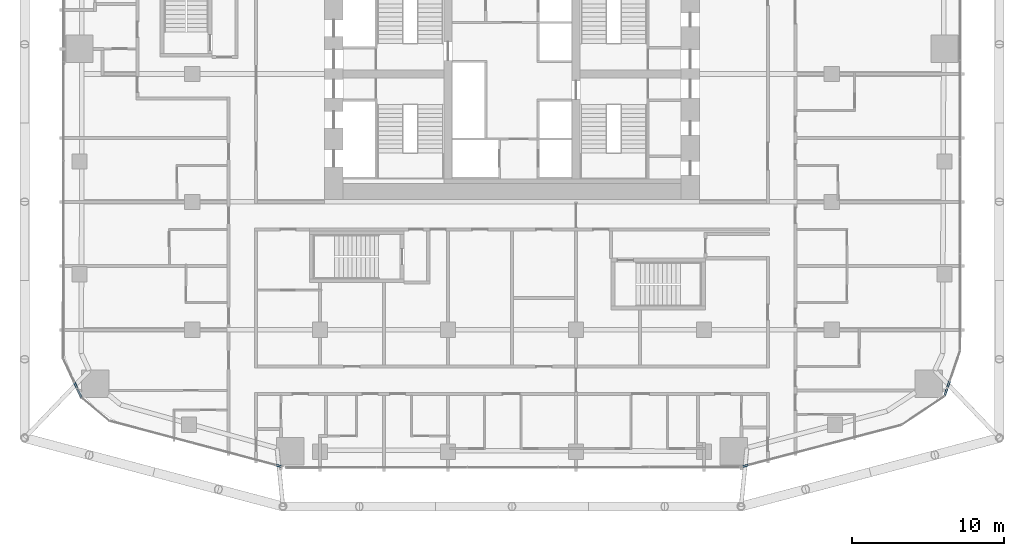
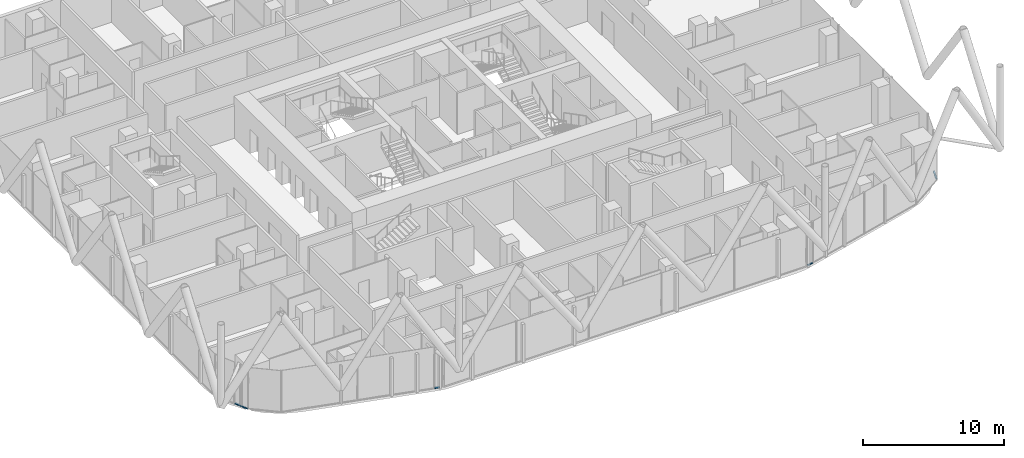
# One storey, part 16 of 35: 6 members, 6 elements without a shape of their own.
"""IFC4 building model written with IfcOpenShell, lengths in metres."""

from ifc_helpers import new_model, si_unit, direction, frame, origin, origin_2d, place, context, subcontext, project, spatial, rectangle, extrude, material, layer, layer_set, material_profile, profile_set, type_object, element, aggregate, save


model = new_model("IFC4")

# Units and contexts
model_context = context("Model", 3, precision=1e-05, world=origin(), true_north=direction((0.0, 1.0)))
body_context = subcontext(model_context, "Body", "Model", "MODEL_VIEW")
ifc_project = project(units=[si_unit("LENGTHUNIT", "METRE"), si_unit("AREAUNIT", "SQUARE_METRE"), si_unit("VOLUMEUNIT", "CUBIC_METRE"), si_unit("PLANEANGLEUNIT", "RADIAN"), si_unit("MASSUNIT", "GRAM", prefix="KILO")], contexts=[model_context])

# Site, building, storey
site_placement = place(None, origin())
site = spatial("IfcSite", under=ifc_project, at=site_placement, CompositionType="ELEMENT")
building_placement = place(site_placement, origin())
building = spatial("IfcBuilding", under=site, at=building_placement, Name="Marenta Gate Hotel Tower", CompositionType="ELEMENT")
storey_placement = place(building_placement, frame((0.0, 0.0, 61.699951171875)))
storey = spatial("IfcBuildingStorey", under=building, at=storey_placement, Name="L13", CompositionType="ELEMENT", Elevation=61.699951171875)

# Curtain wall, member
ifc_material_1 = material(Name="Tinted insulated glass in bronze anodised frame", Category="glass")
ifc_layer = layer(ifc_material_1, 0.1201171875)
ifc_layer_set = layer_set([ifc_layer], Name="Tinted insulated glass in bronze anodised frame")
curtain_wall_type = type_object("IfcCurtainWallType", Name="Tower unitised curtain wall CW1", PredefinedType="NOTDEFINED", material=ifc_layer_set)
curtain_wall_1_placement = place(storey_placement, origin())
curtain_wall_1 = element("IfcCurtainWall", 1, at=curtain_wall_1_placement, inside=storey, type_object=curtain_wall_type, Name="CW1 run G06", PredefinedType="NOTDEFINED")
ifc_material_2 = material(Name="Bronze anodised aluminium", Category="aluminium")
ifc_material_profile = material_profile(ifc_material_2, rectangle(XDim=0.1201171875, YDim=0.06005859375, at=origin_2d()), Name="Transom CW1 60x120 bronze anodised aluminium")
ifc_profile_set = profile_set([ifc_material_profile], Name="Bronze anodised aluminium")
member_type = type_object("IfcMemberType", Name="Transom CW1 60x120 bronze anodised aluminium", PredefinedType="USERDEFINED", material=ifc_profile_set)
member_1_placement = place(storey_placement, frame((-28.739501953125, -11.84619140625, 0.030029296875), z_axis=(0.422979592387, -0.906139208082, 0.0), x_axis=(0.906139208082, 0.422979592387, 0.0)))
member_1 = element("IfcMember", 2, at=member_1_placement, type_object=member_type, Name="CW1 transom 1.1", ObjectType="TRANSOM", PredefinedType="USERDEFINED", context=body_context, shape_type="SweptSolid", body=[
    extrude(rectangle(XDim=0.1201171875, YDim=0.06005859375, at=origin_2d()), origin(), (0.0, 0.0, 1.0), 0.426025390625),
])
aggregate(curtain_wall_1, [member_1])

curtain_wall_2_placement = place(storey_placement, origin())
curtain_wall_2 = element("IfcCurtainWall", 3, at=curtain_wall_2_placement, inside=storey, type_object=curtain_wall_type, Name="CW1 run G07", PredefinedType="NOTDEFINED")
member_2_placement = place(storey_placement, frame((-28.533935546875, -12.286376953125, 0.030029296875), z_axis=(0.423321437663, -0.905979558497, 0.0), x_axis=(0.905979558497, 0.423321437663, 0.0)))
member_2 = element("IfcMember", 4, at=member_2_placement, type_object=member_type, Name="CW1 transom 1.1", ObjectType="TRANSOM", PredefinedType="USERDEFINED", context=body_context, shape_type="SweptSolid", body=[
    extrude(rectangle(XDim=0.1201171875, YDim=0.06005859375, at=origin_2d()), origin(), (0.0, 0.0, 1.0), 0.613037109375),
])
aggregate(curtain_wall_2, [member_2])

curtain_wall_3_placement = place(storey_placement, origin())
curtain_wall_3 = element("IfcCurtainWall", 5, at=curtain_wall_3_placement, inside=storey, type_object=curtain_wall_type, Name="CW1 run G10", PredefinedType="NOTDEFINED")
member_3_placement = place(storey_placement, frame((-15.485595703125, -17.2841796875, 0.030029296875), z_axis=(0.96644611401, -0.256869439046, 0.0), x_axis=(0.256869439046, 0.96644611401, 0.0)))
member_3 = element("IfcMember", 6, at=member_3_placement, type_object=member_type, Name="CW1 transom 1.1", ObjectType="TRANSOM", PredefinedType="USERDEFINED", context=body_context, shape_type="SweptSolid", body=[
    extrude(rectangle(XDim=0.1201171875, YDim=0.06005859375, at=origin_2d()), origin(), (0.0, 0.0, 1.0), 0.364013671875),
])
aggregate(curtain_wall_3, [member_3])

curtain_wall_4_placement = place(storey_placement, origin())
curtain_wall_4 = element("IfcCurtainWall", 7, at=curtain_wall_4_placement, inside=storey, type_object=curtain_wall_type, Name="CW1 run G12", PredefinedType="NOTDEFINED")
member_4_placement = place(storey_placement, frame((15.13232421875, -17.376708984375, 0.030029296875), z_axis=(0.967298175174, 0.253641952966, 0.0), x_axis=(-0.253641952966, 0.967298175174, 0.0)))
member_4 = element("IfcMember", 8, at=member_4_placement, type_object=member_type, Name="CW1 transom 1.1", ObjectType="TRANSOM", PredefinedType="USERDEFINED", context=body_context, shape_type="SweptSolid", body=[
    extrude(rectangle(XDim=0.1201171875, YDim=0.06005859375, at=origin_2d()), origin(), (0.0, 0.0, 1.0), 0.423583984375),
])
aggregate(curtain_wall_4, [member_4])

curtain_wall_5_placement = place(storey_placement, origin())
curtain_wall_5 = element("IfcCurtainWall", 9, at=curtain_wall_5_placement, inside=storey, type_object=curtain_wall_type, Name="CW1 run G15", PredefinedType="NOTDEFINED")
member_5_placement = place(storey_placement, frame((28.4150390625, -12.70458984375, 0.030029296875), z_axis=(0.322254212139, 0.946653169201, 0.0), x_axis=(-0.946653169201, 0.322254212139, 0.0)))
member_5 = element("IfcMember", 10, at=member_5_placement, type_object=member_type, Name="CW1 transom 1.1", ObjectType="TRANSOM", PredefinedType="USERDEFINED", context=body_context, shape_type="SweptSolid", body=[
    extrude(rectangle(XDim=0.1201171875, YDim=0.06005859375, at=origin_2d()), origin(), (0.0, 0.0, 1.0), 0.485595703125),
])
aggregate(curtain_wall_5, [member_5])

curtain_wall_6_placement = place(storey_placement, origin())
curtain_wall_6 = element("IfcCurtainWall", 11, at=curtain_wall_6_placement, inside=storey, type_object=curtain_wall_type, Name="CW1 run G16", PredefinedType="NOTDEFINED")
member_6_placement = place(storey_placement, frame((28.5908203125, -12.18798828125, 0.030029296875), z_axis=(0.321912448893, 0.946769441442, 0.0), x_axis=(-0.946769441442, 0.321912448893, 0.0)))
member_6 = element("IfcMember", 12, at=member_6_placement, type_object=member_type, Name="CW1 transom 1.1", ObjectType="TRANSOM", PredefinedType="USERDEFINED", context=body_context, shape_type="SweptSolid", body=[
    extrude(rectangle(XDim=0.1201171875, YDim=0.06005859375, at=origin_2d()), origin(), (0.0, 0.0, 1.0), 0.450439453125),
])
aggregate(curtain_wall_6, [member_6])

save(model, "model.ifc")
